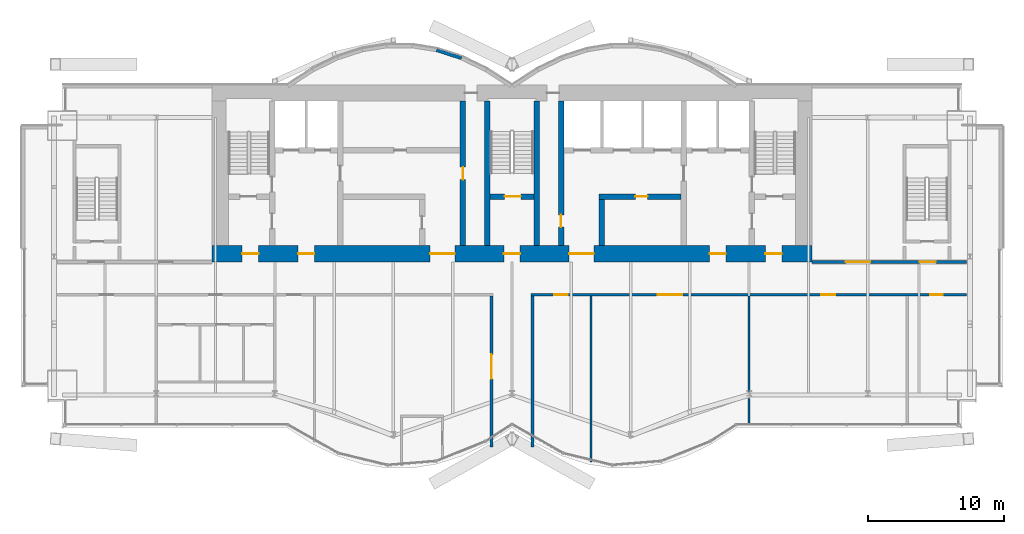
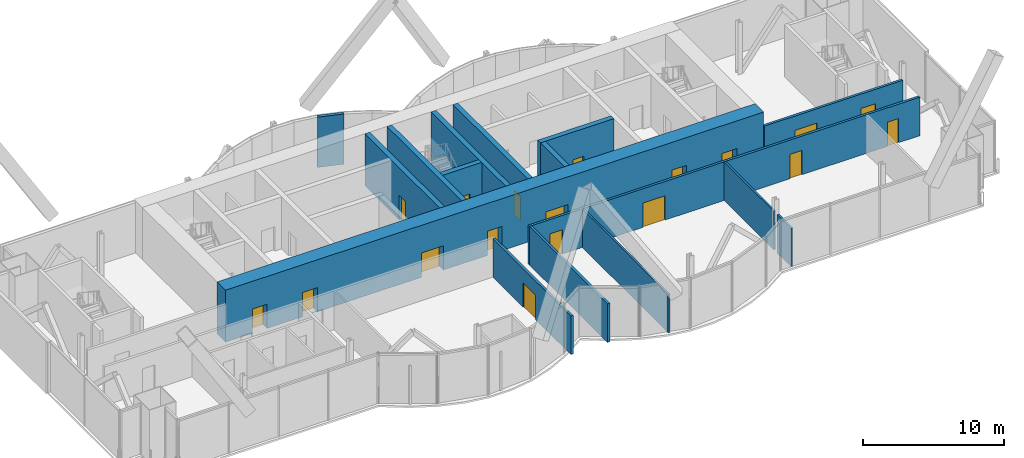
# One storey, part 12 of 17: 18 doors, 16 walls, 18 openings.
"""IFC4 building model written with IfcOpenShell, lengths in metres."""

from ifc_helpers import new_model, si_unit, direction, frame, frame_2d, origin, place, context, subcontext, project, spatial, rectangle, extrude, material, layer, layer_set, layer_usage, type_object, element, fill, save


model = new_model("IFC4")

# Units and contexts
model_context = context("Model", 3, precision=1e-05, world=origin(), true_north=direction((0.0, 1.0)))
body_context = subcontext(model_context, "Body", "Model", "MODEL_VIEW")
ifc_project = project(units=[si_unit("LENGTHUNIT", "METRE"), si_unit("AREAUNIT", "SQUARE_METRE"), si_unit("VOLUMEUNIT", "CUBIC_METRE"), si_unit("PLANEANGLEUNIT", "RADIAN"), si_unit("MASSUNIT", "GRAM", prefix="KILO")], contexts=[model_context])

# Site, building, storey
site_placement = place(None, origin())
site = spatial("IfcSite", under=ifc_project, at=site_placement, CompositionType="ELEMENT")
building_placement = place(site_placement, origin())
building = spatial("IfcBuilding", under=site, at=building_placement, Name="Bicima Exchange Tower", CompositionType="ELEMENT")
storey_placement = place(building_placement, frame((0.0, 0.0, 333.5)))
storey = spatial("IfcBuildingStorey", under=building, at=storey_placement, Name="L75", CompositionType="ELEMENT", Elevation=333.5)

# Wall, openings, doors
ifc_material_1 = material(Name="Gypsum board partition")
ifc_layer_1 = layer(ifc_material_1, 0.199951171875)
ifc_layer_set_1 = layer_set([ifc_layer_1], Name="Gypsum board partition")
wall_type_1 = type_object("IfcWallType", Name="Fire-rated gypsum partition 200 EI60", PredefinedType="PARTITIONING", material=ifc_layer_set_1)
wall_1_placement = place(storey_placement, frame((1.39990234375, -15.39990234375, 0.0), z_axis=(0.0, 0.0, 1.0), x_axis=(1.0, 0.0, 0.0)))
wall_1 = element("IfcWall", 1, at=wall_1_placement, inside=storey, type_object=wall_type_1, Name="partition wall 5", PredefinedType="PARTITIONING", context=body_context, shape_type="SweptSolid", body=[
    extrude(rectangle(XDim=31.940185546875, YDim=0.199951171875, at=frame_2d((15.97021484375, 0.0))), origin(), (0.0, 0.0, 1.0), 3.33935546875),
])
opening_1_placement = place(wall_1_placement, frame((1.699951171875, 0.0, 0.0)))
opening_1 = element("IfcOpeningElement", 2, at=opening_1_placement, cuts=wall_1, Name="Opening L75-014", PredefinedType="OPENING", context=body_context, shape_type="SweptSolid", body=[
    extrude(rectangle(XDim=1.0, YDim=2.10009765625, at=frame_2d((0.5, 1.050048828125))), frame((0.0, 0.11181640625, 0.0), z_axis=(0.0, -1.0, 0.0), x_axis=(1.0, 0.0, 0.0)), (0.0, 0.0, 1.0), 0.223876953125),
])
opening_2_placement = place(wall_1_placement, frame((9.300048828125, 0.0, 0.0)))
opening_2 = element("IfcOpeningElement", 3, at=opening_2_placement, cuts=wall_1, Name="Opening L75-015", PredefinedType="OPENING", context=body_context, shape_type="SweptSolid", body=[
    extrude(rectangle(XDim=1.800048828125, YDim=2.10009765625, at=frame_2d((0.89990234375, 1.050048828125))), frame((0.0, 0.11181640625, 0.0), z_axis=(0.0, -1.0, 0.0), x_axis=(1.0, 0.0, 0.0)), (0.0, 0.0, 1.0), 0.223876953125),
])
opening_3_placement = place(wall_1_placement, frame((21.300048828125, 0.0, 0.0)))
opening_3 = element("IfcOpeningElement", 4, at=opening_3_placement, cuts=wall_1, Name="Opening L75-016", PredefinedType="OPENING", context=body_context, shape_type="SweptSolid", body=[
    extrude(rectangle(XDim=1.0, YDim=2.10009765625, at=frame_2d((0.5, 1.050048828125))), frame((0.0, 0.11181640625, 0.0), z_axis=(0.0, -1.0, 0.0), x_axis=(1.0, 0.0, 0.0)), (0.0, 0.0, 1.0), 0.223876953125),
])
opening_4_placement = place(wall_1_placement, frame((29.300048828125, 0.0, 0.0)))
opening_4 = element("IfcOpeningElement", 5, at=opening_4_placement, cuts=wall_1, Name="Opening L75-017", PredefinedType="OPENING", context=body_context, shape_type="SweptSolid", body=[
    extrude(rectangle(XDim=0.89990234375, YDim=2.10009765625, at=frame_2d((0.449951171875, 1.050048828125))), frame((0.0, 0.11181640625, 0.0), z_axis=(0.0, -1.0, 0.0), x_axis=(1.0, 0.0, 0.0)), (0.0, 0.0, 1.0), 0.223876953125),
])
ifc_material_2 = material(Name="Steel fire door leaf", Category="steel")
door_type_1 = type_object("IfcDoorType", Name="Door 1000 swing FD30S", OperationType="SINGLE_SWING_LEFT", PredefinedType="DOOR", material=ifc_material_2)
door_1_placement = place(opening_1_placement, frame((1.0, 0.0, 0.0), z_axis=(0.0, 0.0, 1.0), x_axis=(-1.0, 0.0, 0.0)))
door_1 = element("IfcDoor", 6, at=door_1_placement, inside=storey, type_object=door_type_1, Name="Door", OperationType="SINGLE_SWING_RIGHT", OverallHeight=2.10009765625, OverallWidth=1.0, PredefinedType="DOOR", context=body_context, shape_type="SweptSolid", body=[
    extrude(rectangle(XDim=1.0, YDim=2.10009765625, at=frame_2d((0.5, 1.050048828125))), frame((0.0, 0.02490234375, 0.0), z_axis=(0.0, -1.0, 0.0), x_axis=(1.0, 0.0, 0.0)), (0.0, 0.0, 1.0), 0.050048828125),
])
fill(opening_1, door_1)
door_2_placement = place(opening_3_placement, frame((1.0, 0.0, 0.0), z_axis=(0.0, 0.0, 1.0), x_axis=(-1.0, 0.0, 0.0)))
door_2 = element("IfcDoor", 7, at=door_2_placement, inside=storey, type_object=door_type_1, Name="Door", OperationType="SINGLE_SWING_LEFT", OverallHeight=2.10009765625, OverallWidth=1.0, PredefinedType="DOOR", context=body_context, shape_type="SweptSolid", body=[
    extrude(rectangle(XDim=1.0, YDim=2.10009765625, at=frame_2d((0.5, 1.050048828125))), frame((0.0, 0.02490234375, 0.0), z_axis=(0.0, -1.0, 0.0), x_axis=(1.0, 0.0, 0.0)), (0.0, 0.0, 1.0), 0.050048828125),
])
fill(opening_3, door_2)
door_type_2 = type_object("IfcDoorType", Name="Door 1800 double swing FD30S", OperationType="DOUBLE_DOOR_SINGLE_SWING", PredefinedType="DOOR", material=ifc_material_2)
door_3_placement = place(opening_2_placement, origin())
door_3 = element("IfcDoor", 8, at=door_3_placement, inside=storey, type_object=door_type_2, Name="Door", OperationType="SINGLE_SWING_LEFT", OverallHeight=2.10009765625, OverallWidth=1.800048828125, PredefinedType="DOOR", context=body_context, shape_type="SweptSolid", body=[
    extrude(rectangle(XDim=1.800048828125, YDim=2.10009765625, at=frame_2d((0.89990234375, 1.050048828125))), frame((0.0, 0.02490234375, 0.0), z_axis=(0.0, -1.0, 0.0), x_axis=(1.0, 0.0, 0.0)), (0.0, 0.0, 1.0), 0.050048828125),
])
fill(opening_2, door_3)
door_type_3 = type_object("IfcDoorType", Name="Door 900 swing FD30S", OperationType="SINGLE_SWING_LEFT", PredefinedType="DOOR", material=ifc_material_2)
door_4_placement = place(opening_4_placement, frame((0.89990234375, 0.0, 0.0), z_axis=(0.0, 0.0, 1.0), x_axis=(-1.0, 0.0, 0.0)))
door_4 = element("IfcDoor", 9, at=door_4_placement, inside=storey, type_object=door_type_3, Name="Door", OperationType="SINGLE_SWING_RIGHT", OverallHeight=2.10009765625, OverallWidth=0.89990234375, PredefinedType="DOOR", context=body_context, shape_type="SweptSolid", body=[
    extrude(rectangle(XDim=0.89990234375, YDim=2.10009765625, at=frame_2d((0.449951171875, 1.050048828125))), frame((0.0, 0.02490234375, 0.0), z_axis=(0.0, -1.0, 0.0), x_axis=(1.0, 0.0, 0.0)), (0.0, 0.0, 1.0), 0.050048828125),
])
fill(opening_4, door_4)

wall_2_placement = place(storey_placement, frame((22.0, -13.0, 0.0), z_axis=(0.0, 0.0, 1.0), x_axis=(1.0, 0.0, 0.0)))
wall_2 = element("IfcWall", 10, at=wall_2_placement, inside=storey, type_object=wall_type_1, Name="partition wall 7", PredefinedType="PARTITIONING", context=body_context, shape_type="SweptSolid", body=[
    extrude(rectangle(XDim=11.340087890625, YDim=0.199951171875, at=frame_2d((5.669921875, 0.0))), origin(), (0.0, 0.0, 1.0), 3.33935546875),
])
opening_5_placement = place(wall_2_placement, frame((7.89990234375, 0.0, 0.0)))
opening_5 = element("IfcOpeningElement", 11, at=opening_5_placement, cuts=wall_2, Name="Opening L75-003", PredefinedType="OPENING", context=body_context, shape_type="SweptSolid", body=[
    extrude(rectangle(XDim=1.199951171875, YDim=2.10009765625, at=frame_2d((0.60009765625, 1.050048828125))), frame((0.0, 0.11181640625, 0.0), z_axis=(0.0, -1.0, 0.0), x_axis=(1.0, 0.0, 0.0)), (0.0, 0.0, 1.0), 0.223876953125),
])
opening_6_placement = place(wall_2_placement, frame((2.5, 0.0, 0.0)))
opening_6 = element("IfcOpeningElement", 12, at=opening_6_placement, cuts=wall_2, Name="Opening L75-006", PredefinedType="OPENING", context=body_context, shape_type="SweptSolid", body=[
    extrude(rectangle(XDim=1.800048828125, YDim=2.10009765625, at=frame_2d((0.89990234375, 1.050048828125))), frame((0.0, 0.11181640625, 0.0), z_axis=(0.0, -1.0, 0.0), x_axis=(1.0, 0.0, 0.0)), (0.0, 0.0, 1.0), 0.223876953125),
])
door_type_4 = type_object("IfcDoorType", Name="Door 1200 swing FD30S", OperationType="SINGLE_SWING_LEFT", PredefinedType="DOOR", material=ifc_material_2)
door_5_placement = place(opening_5_placement, origin())
door_5 = element("IfcDoor", 13, at=door_5_placement, inside=storey, type_object=door_type_4, Name="Door", OperationType="SINGLE_SWING_RIGHT", OverallHeight=2.10009765625, OverallWidth=1.199951171875, PredefinedType="DOOR", context=body_context, shape_type="SweptSolid", body=[
    extrude(rectangle(XDim=1.199951171875, YDim=2.10009765625, at=frame_2d((0.60009765625, 1.050048828125))), frame((0.0, 0.02490234375, 0.0), z_axis=(0.0, -1.0, 0.0), x_axis=(1.0, 0.0, 0.0)), (0.0, 0.0, 1.0), 0.050048828125),
])
fill(opening_5, door_5)
door_6_placement = place(opening_6_placement, origin())
door_6 = element("IfcDoor", 14, at=door_6_placement, inside=storey, type_object=door_type_2, Name="Door", OperationType="SINGLE_SWING_LEFT", OverallHeight=2.10009765625, OverallWidth=1.800048828125, PredefinedType="DOOR", context=body_context, shape_type="SweptSolid", body=[
    extrude(rectangle(XDim=1.800048828125, YDim=2.10009765625, at=frame_2d((0.89990234375, 1.050048828125))), frame((0.0, 0.02490234375, 0.0), z_axis=(0.0, -1.0, 0.0), x_axis=(1.0, 0.0, 0.0)), (0.0, 0.0, 1.0), 0.050048828125),
])
fill(opening_6, door_6)

# Wall, opening, door
wall_3_placement = place(storey_placement, frame((-1.5, -26.5625, 0.0), z_axis=(0.0, 0.0, 1.0), x_axis=(0.0, 1.0, 0.0)))
wall_3 = element("IfcWall", 15, at=wall_3_placement, inside=storey, type_object=wall_type_1, Name="partition wall 22", PredefinedType="PARTITIONING", context=body_context, shape_type="SweptSolid", body=[
    extrude(rectangle(XDim=11.0625, YDim=0.199951171875, at=frame_2d((5.53125, 0.0))), origin(), (0.0, 0.0, 1.0), 3.33935546875),
])
opening_7_placement = place(wall_3_placement, frame((4.98291015625, 0.0, 0.0)))
opening_7 = element("IfcOpeningElement", 16, at=opening_7_placement, cuts=wall_3, Name="Opening L75-013", PredefinedType="OPENING", context=body_context, shape_type="SweptSolid", body=[
    extrude(rectangle(XDim=1.800048828125, YDim=2.10009765625, at=frame_2d((0.89990234375, 1.050048828125))), frame((0.0, 0.11181640625, 0.0), z_axis=(0.0, -1.0, 0.0), x_axis=(1.0, 0.0, 0.0)), (0.0, 0.0, 1.0), 0.223876953125),
])
door_7_placement = place(opening_7_placement, origin())
door_7 = element("IfcDoor", 17, at=door_7_placement, inside=storey, type_object=door_type_2, Name="Door", OperationType="SINGLE_SWING_LEFT", OverallHeight=2.10009765625, OverallWidth=1.800048828125, PredefinedType="DOOR", context=body_context, shape_type="SweptSolid", body=[
    extrude(rectangle(XDim=1.800048828125, YDim=2.10009765625, at=frame_2d((0.89990234375, 1.050048828125))), frame((0.0, 0.02490234375, 0.0), z_axis=(0.0, -1.0, 0.0), x_axis=(1.0, 0.0, 0.0)), (0.0, 0.0, 1.0), 0.050048828125),
])
fill(opening_7, door_7)

# Walls
wall_4_placement = place(storey_placement, frame((1.5, -26.5625, 0.0), z_axis=(0.0, 0.0, 1.0), x_axis=(0.0, 1.0, 0.0)))
element("IfcWall", 18, at=wall_4_placement, inside=storey, type_object=wall_type_1, Name="partition wall 23", PredefinedType="PARTITIONING", context=body_context, shape_type="SweptSolid", body=[
    extrude(rectangle(XDim=11.0625, YDim=0.199951171875, at=frame_2d((5.53125, 0.0))), origin(), (0.0, 0.0, 1.0), 3.33935546875),
])
ifc_layer_2 = layer(ifc_material_1, 0.14990234375)
ifc_layer_set_2 = layer_set([ifc_layer_2], Name="Gypsum board partition")
wall_type_2 = type_object("IfcWallType", Name="Gypsum partition 150", PredefinedType="PARTITIONING", material=ifc_layer_set_2)
wall_5_placement = place(storey_placement, frame((5.800048828125, -27.669921875, 0.0), z_axis=(0.0, 0.0, 1.0), x_axis=(0.0, 1.0, 0.0)))
element("IfcWall", 19, at=wall_5_placement, inside=storey, type_object=wall_type_2, Name="partition wall 24", PredefinedType="PARTITIONING", context=body_context, shape_type="SweptSolid", body=[
    extrude(rectangle(XDim=12.169921875, YDim=0.14990234375, at=frame_2d((6.0849609375, 0.0))), origin(), (0.0, 0.0, 1.0), 3.33935546875),
])
wall_6_placement = place(storey_placement, frame((17.39990234375, -24.949951171875, 0.0), z_axis=(0.0, 0.0, 1.0), x_axis=(0.0, 1.0, 0.0)))
element("IfcWall", 20, at=wall_6_placement, inside=storey, type_object=wall_type_2, Name="partition wall 25", PredefinedType="PARTITIONING", context=body_context, shape_type="SweptSolid", body=[
    extrude(rectangle(XDim=1.94873046875, YDim=0.14990234375, at=frame_2d((0.974365234375, 0.0))), origin(), (0.0, 0.0, 1.0), 3.33935546875),
])
wall_7_placement = place(storey_placement, frame((17.39990234375, -22.526611328125, 0.0), z_axis=(0.0, 0.0, 1.0), x_axis=(0.0, 1.0, 0.0)))
element("IfcWall", 21, at=wall_7_placement, inside=storey, type_object=wall_type_2, Name="partition wall 26", PredefinedType="PARTITIONING", context=body_context, shape_type="SweptSolid", body=[
    extrude(rectangle(XDim=7.026611328125, YDim=0.14990234375, at=frame_2d((3.51318359375, 0.0))), origin(), (0.0, 0.0, 1.0), 3.33935546875),
])

# Wall, openings, doors
ifc_material_3 = material(Name="Concrete C40/50", Category="concrete")
ifc_layer_3 = layer(ifc_material_3, 1.199951171875)
ifc_layer_set_3 = layer_set([ifc_layer_3], Name="Concrete C40/50")
wall_type_3 = type_object("IfcWallType", Name="RC core wall 1200 C40/50", PredefinedType="SHEAR", material=ifc_layer_set_3)
wall_8_placement = place(storey_placement, frame((-22.0, -12.39990234375, 0.0), z_axis=(0.0, 0.0, 1.0), x_axis=(1.0, 0.0, 0.0)))
wall_8 = element("IfcWall", 22, at=wall_8_placement, inside=storey, type_object=wall_type_3, Name="Core wall south", PredefinedType="SHEAR", context=body_context, shape_type="SweptSolid", body=[
    extrude(rectangle(XDim=44.0, YDim=1.199951171875, at=frame_2d((22.0, 0.0))), origin(), (0.0, 0.0, 1.0), 4.5),
])
opening_8_placement = place(wall_8_placement, frame((2.199951171875, 0.0, 0.0)))
opening_8 = element("IfcOpeningElement", 23, at=opening_8_placement, cuts=wall_8, Name="Opening L75-C17", PredefinedType="OPENING", context=body_context, shape_type="SweptSolid", body=[
    extrude(rectangle(XDim=1.199951171875, YDim=2.10009765625, at=frame_2d((0.60009765625, 1.050048828125))), frame((0.0, 0.61181640625, 0.0), z_axis=(0.0, -1.0, 0.0), x_axis=(1.0, 0.0, 0.0)), (0.0, 0.0, 1.0), 1.223876953125),
])
opening_9_placement = place(wall_8_placement, frame((21.39990234375, 0.0, 0.0)))
opening_9 = element("IfcOpeningElement", 24, at=opening_9_placement, cuts=wall_8, Name="Opening L75-C18", PredefinedType="OPENING", context=body_context, shape_type="SweptSolid", body=[
    extrude(rectangle(XDim=1.199951171875, YDim=2.10009765625, at=frame_2d((0.60009765625, 1.050048828125))), frame((0.0, 0.61181640625, 0.0), z_axis=(0.0, -1.0, 0.0), x_axis=(1.0, 0.0, 0.0)), (0.0, 0.0, 1.0), 1.223876953125),
])
opening_10_placement = place(wall_8_placement, frame((40.60009765625, 0.0, 0.0)))
opening_10 = element("IfcOpeningElement", 25, at=opening_10_placement, cuts=wall_8, Name="Opening L75-C19", PredefinedType="OPENING", context=body_context, shape_type="SweptSolid", body=[
    extrude(rectangle(XDim=1.199951171875, YDim=2.10009765625, at=frame_2d((0.60009765625, 1.050048828125))), frame((0.0, 0.61181640625, 0.0), z_axis=(0.0, -1.0, 0.0), x_axis=(1.0, 0.0, 0.0)), (0.0, 0.0, 1.0), 1.223876953125),
])
opening_11_placement = place(wall_8_placement, frame((16.0, 0.0, 0.0)))
opening_11 = element("IfcOpeningElement", 26, at=opening_11_placement, cuts=wall_8, Name="Opening L75-C20", PredefinedType="OPENING", context=body_context, shape_type="SweptSolid", body=[
    extrude(rectangle(XDim=1.800048828125, YDim=2.10009765625, at=frame_2d((0.89990234375, 1.050048828125))), frame((0.0, 0.61181640625, 0.0), z_axis=(0.0, -1.0, 0.0), x_axis=(1.0, 0.0, 0.0)), (0.0, 0.0, 1.0), 1.223876953125),
])
opening_12_placement = place(wall_8_placement, frame((6.300048828125, 0.0, 0.0)))
opening_12 = element("IfcOpeningElement", 27, at=opening_12_placement, cuts=wall_8, Name="Opening L75-C21", PredefinedType="OPENING", context=body_context, shape_type="SweptSolid", body=[
    extrude(rectangle(XDim=1.199951171875, YDim=2.10009765625, at=frame_2d((0.60009765625, 1.050048828125))), frame((0.0, 0.61181640625, 0.0), z_axis=(0.0, -1.0, 0.0), x_axis=(1.0, 0.0, 0.0)), (0.0, 0.0, 1.0), 1.223876953125),
])
opening_13_placement = place(wall_8_placement, frame((26.199951171875, 0.0, 0.0)))
opening_13 = element("IfcOpeningElement", 28, at=opening_13_placement, cuts=wall_8, Name="Opening L75-C22", PredefinedType="OPENING", context=body_context, shape_type="SweptSolid", body=[
    extrude(rectangle(XDim=1.800048828125, YDim=2.10009765625, at=frame_2d((0.89990234375, 1.050048828125))), frame((0.0, 0.61181640625, 0.0), z_axis=(0.0, -1.0, 0.0), x_axis=(1.0, 0.0, 0.0)), (0.0, 0.0, 1.0), 1.223876953125),
])
opening_14_placement = place(wall_8_placement, frame((36.5, 0.0, 0.0)))
opening_14 = element("IfcOpeningElement", 29, at=opening_14_placement, cuts=wall_8, Name="Opening L75-C23", PredefinedType="OPENING", context=body_context, shape_type="SweptSolid", body=[
    extrude(rectangle(XDim=1.199951171875, YDim=2.10009765625, at=frame_2d((0.60009765625, 1.050048828125))), frame((0.0, 0.61181640625, 0.0), z_axis=(0.0, -1.0, 0.0), x_axis=(1.0, 0.0, 0.0)), (0.0, 0.0, 1.0), 1.223876953125),
])
door_type_5 = type_object("IfcDoorType", Name="Door 1200 swing FD60S", OperationType="SINGLE_SWING_LEFT", PredefinedType="DOOR", material=ifc_material_2)
door_8_placement = place(opening_8_placement, frame((1.199951171875, 0.0, 0.0), z_axis=(0.0, 0.0, 1.0), x_axis=(-1.0, 0.0, 0.0)))
door_8 = element("IfcDoor", 30, at=door_8_placement, inside=storey, type_object=door_type_5, Name="Core door", OperationType="SINGLE_SWING_RIGHT", OverallHeight=2.10009765625, OverallWidth=1.199951171875, PredefinedType="DOOR", context=body_context, shape_type="SweptSolid", body=[
    extrude(rectangle(XDim=1.199951171875, YDim=2.10009765625, at=frame_2d((0.60009765625, 1.050048828125))), frame((0.0, 0.02490234375, 0.0), z_axis=(0.0, -1.0, 0.0), x_axis=(1.0, 0.0, 0.0)), (0.0, 0.0, 1.0), 0.050048828125),
])
fill(opening_8, door_8)
door_9_placement = place(opening_9_placement, frame((1.199951171875, 0.0, 0.0), z_axis=(0.0, 0.0, 1.0), x_axis=(-1.0, 0.0, 0.0)))
door_9 = element("IfcDoor", 31, at=door_9_placement, inside=storey, type_object=door_type_5, Name="Core door", OperationType="SINGLE_SWING_RIGHT", OverallHeight=2.10009765625, OverallWidth=1.199951171875, PredefinedType="DOOR", context=body_context, shape_type="SweptSolid", body=[
    extrude(rectangle(XDim=1.199951171875, YDim=2.10009765625, at=frame_2d((0.60009765625, 1.050048828125))), frame((0.0, 0.02490234375, 0.0), z_axis=(0.0, -1.0, 0.0), x_axis=(1.0, 0.0, 0.0)), (0.0, 0.0, 1.0), 0.050048828125),
])
fill(opening_9, door_9)
door_10_placement = place(opening_10_placement, frame((1.199951171875, 0.0, 0.0), z_axis=(0.0, 0.0, 1.0), x_axis=(-1.0, 0.0, 0.0)))
door_10 = element("IfcDoor", 32, at=door_10_placement, inside=storey, type_object=door_type_5, Name="Core door", OperationType="SINGLE_SWING_RIGHT", OverallHeight=2.10009765625, OverallWidth=1.199951171875, PredefinedType="DOOR", context=body_context, shape_type="SweptSolid", body=[
    extrude(rectangle(XDim=1.199951171875, YDim=2.10009765625, at=frame_2d((0.60009765625, 1.050048828125))), frame((0.0, 0.02490234375, 0.0), z_axis=(0.0, -1.0, 0.0), x_axis=(1.0, 0.0, 0.0)), (0.0, 0.0, 1.0), 0.050048828125),
])
fill(opening_10, door_10)
door_11_placement = place(opening_12_placement, frame((1.199951171875, 0.0, 0.0), z_axis=(0.0, 0.0, 1.0), x_axis=(-1.0, 0.0, 0.0)))
door_11 = element("IfcDoor", 33, at=door_11_placement, inside=storey, type_object=door_type_5, Name="Core door", OperationType="SINGLE_SWING_RIGHT", OverallHeight=2.10009765625, OverallWidth=1.199951171875, PredefinedType="DOOR", context=body_context, shape_type="SweptSolid", body=[
    extrude(rectangle(XDim=1.199951171875, YDim=2.10009765625, at=frame_2d((0.60009765625, 1.050048828125))), frame((0.0, 0.02490234375, 0.0), z_axis=(0.0, -1.0, 0.0), x_axis=(1.0, 0.0, 0.0)), (0.0, 0.0, 1.0), 0.050048828125),
])
fill(opening_12, door_11)
door_12_placement = place(opening_14_placement, frame((1.199951171875, 0.0, 0.0), z_axis=(0.0, 0.0, 1.0), x_axis=(-1.0, 0.0, 0.0)))
door_12 = element("IfcDoor", 34, at=door_12_placement, inside=storey, type_object=door_type_5, Name="Core door", OperationType="SINGLE_SWING_RIGHT", OverallHeight=2.10009765625, OverallWidth=1.199951171875, PredefinedType="DOOR", context=body_context, shape_type="SweptSolid", body=[
    extrude(rectangle(XDim=1.199951171875, YDim=2.10009765625, at=frame_2d((0.60009765625, 1.050048828125))), frame((0.0, 0.02490234375, 0.0), z_axis=(0.0, -1.0, 0.0), x_axis=(1.0, 0.0, 0.0)), (0.0, 0.0, 1.0), 0.050048828125),
])
fill(opening_14, door_12)
door_13_placement = place(opening_11_placement, origin())
door_13 = element("IfcDoor", 35, at=door_13_placement, inside=storey, type_object=door_type_2, Name="Core door", OperationType="SINGLE_SWING_LEFT", OverallHeight=2.10009765625, OverallWidth=1.800048828125, PredefinedType="DOOR", context=body_context, shape_type="SweptSolid", body=[
    extrude(rectangle(XDim=1.800048828125, YDim=2.10009765625, at=frame_2d((0.89990234375, 1.050048828125))), frame((0.0, 0.02490234375, 0.0), z_axis=(0.0, -1.0, 0.0), x_axis=(1.0, 0.0, 0.0)), (0.0, 0.0, 1.0), 0.050048828125),
])
fill(opening_11, door_13)
door_14_placement = place(opening_13_placement, origin())
door_14 = element("IfcDoor", 36, at=door_14_placement, inside=storey, type_object=door_type_2, Name="Core door", OperationType="SINGLE_SWING_LEFT", OverallHeight=2.10009765625, OverallWidth=1.800048828125, PredefinedType="DOOR", context=body_context, shape_type="SweptSolid", body=[
    extrude(rectangle(XDim=1.800048828125, YDim=2.10009765625, at=frame_2d((0.89990234375, 1.050048828125))), frame((0.0, 0.02490234375, 0.0), z_axis=(0.0, -1.0, 0.0), x_axis=(1.0, 0.0, 0.0)), (0.0, 0.0, 1.0), 0.050048828125),
])
fill(opening_13, door_14)

# Wall, opening, door
ifc_layer_4 = layer(ifc_material_3, 0.39990234375)
ifc_layer_set_4 = layer_set([ifc_layer_4], Name="Concrete C40/50")
wall_type_4 = type_object("IfcWallType", Name="RC core wall 400 C40/50", PredefinedType="SHEAR", material=ifc_layer_set_4)
wall_9_placement = place(storey_placement, frame((6.39990234375, -8.199951171875, 0.0), z_axis=(0.0, 0.0, 1.0), x_axis=(1.0, 0.0, 0.0)))
wall_9 = element("IfcWall", 37, at=wall_9_placement, inside=storey, type_object=wall_type_4, Name="shear wall 4", PredefinedType="SHEAR", context=body_context, shape_type="SweptSolid", body=[
    extrude(rectangle(XDim=6.0, YDim=0.39990234375, at=frame_2d((3.0, 0.0))), origin(), (0.0, 0.0, 1.0), 4.5),
])
opening_15_placement = place(wall_9_placement, frame((2.64990234375, 0.0, 0.0)))
opening_15 = element("IfcOpeningElement", 38, at=opening_15_placement, cuts=wall_9, Name="Opening L75-C14", PredefinedType="OPENING", context=body_context, shape_type="SweptSolid", body=[
    extrude(rectangle(XDim=0.89990234375, YDim=2.10009765625, at=frame_2d((0.449951171875, 1.050048828125))), frame((0.0, 0.2119140625, 0.0), z_axis=(0.0, -1.0, 0.0), x_axis=(1.0, 0.0, 0.0)), (0.0, 0.0, 1.0), 0.423828125),
])
door_15_placement = place(opening_15_placement, frame((0.89990234375, 0.0, 0.0), z_axis=(0.0, 0.0, 1.0), x_axis=(-1.0, 0.0, 0.0)))
door_15 = element("IfcDoor", 39, at=door_15_placement, inside=storey, type_object=door_type_3, Name="Core door", OperationType="SINGLE_SWING_LEFT", OverallHeight=2.10009765625, OverallWidth=0.89990234375, PredefinedType="DOOR", context=body_context, shape_type="SweptSolid", body=[
    extrude(rectangle(XDim=0.89990234375, YDim=2.10009765625, at=frame_2d((0.449951171875, 1.050048828125))), frame((0.0, 0.02490234375, 0.0), z_axis=(0.0, -1.0, 0.0), x_axis=(1.0, 0.0, 0.0)), (0.0, 0.0, 1.0), 0.050048828125),
])
fill(opening_15, door_15)

wall_10_placement = place(storey_placement, frame((-3.60009765625, -11.800048828125, 0.0), z_axis=(0.0, 0.0, 1.0), x_axis=(0.0, 1.0, 0.0)))
wall_10 = element("IfcWall", 40, at=wall_10_placement, inside=storey, type_object=wall_type_4, Name="shear wall 12", PredefinedType="SHEAR", context=body_context, shape_type="SweptSolid", body=[
    extrude(rectangle(XDim=10.60009765625, YDim=0.39990234375, at=frame_2d((5.300048828125, 0.0))), origin(), (0.0, 0.0, 1.0), 4.5),
])
opening_16_placement = place(wall_10_placement, frame((4.85009765625, 0.0, 0.0)))
opening_16 = element("IfcOpeningElement", 41, at=opening_16_placement, cuts=wall_10, Name="Opening L75-C10", PredefinedType="OPENING", context=body_context, shape_type="SweptSolid", body=[
    extrude(rectangle(XDim=0.89990234375, YDim=2.10009765625, at=frame_2d((0.449951171875, 1.050048828125))), frame((0.0, 0.2119140625, 0.0), z_axis=(0.0, -1.0, 0.0), x_axis=(1.0, 0.0, 0.0)), (0.0, 0.0, 1.0), 0.423828125),
])
door_16_placement = place(opening_16_placement, frame((0.89990234375, 0.0, 0.0), z_axis=(0.0, 0.0, 1.0), x_axis=(-1.0, 0.0, 0.0)))
door_16 = element("IfcDoor", 42, at=door_16_placement, inside=storey, type_object=door_type_3, Name="Core door", OperationType="SINGLE_SWING_LEFT", OverallHeight=2.10009765625, OverallWidth=0.89990234375, PredefinedType="DOOR", context=body_context, shape_type="SweptSolid", body=[
    extrude(rectangle(XDim=0.89990234375, YDim=2.10009765625, at=frame_2d((0.449951171875, 1.050048828125))), frame((0.0, 0.02490234375, 0.0), z_axis=(0.0, -1.0, 0.0), x_axis=(1.0, 0.0, 0.0)), (0.0, 0.0, 1.0), 0.050048828125),
])
fill(opening_16, door_16)

wall_11_placement = place(storey_placement, frame((3.60009765625, -11.800048828125, 0.0), z_axis=(0.0, 0.0, 1.0), x_axis=(0.0, 1.0, 0.0)))
wall_11 = element("IfcWall", 43, at=wall_11_placement, inside=storey, type_object=wall_type_4, Name="shear wall 15", PredefinedType="SHEAR", context=body_context, shape_type="SweptSolid", body=[
    extrude(rectangle(XDim=10.60009765625, YDim=0.39990234375, at=frame_2d((5.300048828125, 0.0))), origin(), (0.0, 0.0, 1.0), 4.5),
])
opening_17_placement = place(wall_11_placement, frame((1.35009765625, 0.0, 0.0)))
opening_17 = element("IfcOpeningElement", 44, at=opening_17_placement, cuts=wall_11, Name="Opening L75-C11", PredefinedType="OPENING", context=body_context, shape_type="SweptSolid", body=[
    extrude(rectangle(XDim=0.89990234375, YDim=2.10009765625, at=frame_2d((0.449951171875, 1.050048828125))), frame((0.0, 0.2119140625, 0.0), z_axis=(0.0, -1.0, 0.0), x_axis=(1.0, 0.0, 0.0)), (0.0, 0.0, 1.0), 0.423828125),
])
door_17_placement = place(opening_17_placement, origin())
door_17 = element("IfcDoor", 45, at=door_17_placement, inside=storey, type_object=door_type_3, Name="Core door", OperationType="SINGLE_SWING_LEFT", OverallHeight=2.10009765625, OverallWidth=0.89990234375, PredefinedType="DOOR", context=body_context, shape_type="SweptSolid", body=[
    extrude(rectangle(XDim=0.89990234375, YDim=2.10009765625, at=frame_2d((0.449951171875, 1.050048828125))), frame((0.0, 0.02490234375, 0.0), z_axis=(0.0, -1.0, 0.0), x_axis=(1.0, 0.0, 0.0)), (0.0, 0.0, 1.0), 0.050048828125),
])
fill(opening_17, door_17)

# Wall
wall_12_placement = place(storey_placement, frame((6.60009765625, -11.800048828125, 0.0), z_axis=(0.0, 0.0, 1.0), x_axis=(0.0, 1.0, 0.0)))
element("IfcWall", 46, at=wall_12_placement, inside=storey, type_object=wall_type_4, Name="shear wall 16", PredefinedType="SHEAR", context=body_context, shape_type="SweptSolid", body=[
    extrude(rectangle(XDim=3.400146484375, YDim=0.39990234375, at=frame_2d((1.7001953125, 0.0))), origin(), (0.0, 0.0, 1.0), 4.5),
])

# Wall, opening, door
ifc_material_4 = material(Name="Concrete C50/60", Category="concrete")
ifc_layer_5 = layer(ifc_material_4, 0.39990234375)
ifc_layer_set_5 = layer_set([ifc_layer_5], Name="Concrete C50/60")
wall_type_5 = type_object("IfcWallType", Name="RC core wall 400 C50/60", PredefinedType="SHEAR", material=ifc_layer_set_5)
wall_13_placement = place(storey_placement, frame((-1.60009765625, -8.199951171875, 0.0), z_axis=(0.0, 0.0, 1.0), x_axis=(1.0, 0.0, 0.0)))
wall_13 = element("IfcWall", 47, at=wall_13_placement, inside=storey, type_object=wall_type_5, Name="stair wall 3", PredefinedType="SHEAR", context=body_context, shape_type="SweptSolid", body=[
    extrude(rectangle(XDim=3.2001953125, YDim=0.39990234375, at=frame_2d((1.60009765625, 0.0))), origin(), (0.0, 0.0, 1.0), 4.5),
])
opening_18_placement = place(wall_13_placement, frame((1.050048828125, 0.0, 0.0)))
opening_18 = element("IfcOpeningElement", 48, at=opening_18_placement, cuts=wall_13, Name="Opening L75-C03", PredefinedType="OPENING", context=body_context, shape_type="SweptSolid", body=[
    extrude(rectangle(XDim=1.199951171875, YDim=2.10009765625, at=frame_2d((0.60009765625, 1.050048828125))), frame((0.0, 0.2119140625, 0.0), z_axis=(0.0, -1.0, 0.0), x_axis=(1.0, 0.0, 0.0)), (0.0, 0.0, 1.0), 0.423828125),
])
door_18_placement = place(opening_18_placement, origin())
door_18 = element("IfcDoor", 49, at=door_18_placement, inside=storey, type_object=door_type_5, Name="Core door", OperationType="SINGLE_SWING_LEFT", OverallHeight=2.10009765625, OverallWidth=1.199951171875, PredefinedType="DOOR", context=body_context, shape_type="SweptSolid", body=[
    extrude(rectangle(XDim=1.199951171875, YDim=2.10009765625, at=frame_2d((0.60009765625, 1.050048828125))), frame((0.0, 0.02490234375, 0.0), z_axis=(0.0, -1.0, 0.0), x_axis=(1.0, 0.0, 0.0)), (0.0, 0.0, 1.0), 0.050048828125),
])
fill(opening_18, door_18)

# Walls
for number, where, z_axis, x_axis, name in (
    (50, (-1.800048828125, -11.800048828125, 0.0), (0.0, 0.0, 1.0), (0.0, 1.0, 0.0), "stair wall 13"),
    (51, (1.800048828125, -11.800048828125, 0.0), (0.0, 0.0, 1.0), (0.0, 1.0, 0.0), "stair wall 14"),
):
    element("IfcWall", number, at=place(storey_placement, frame(where, z_axis=z_axis, x_axis=x_axis)), inside=storey, type_object=wall_type_5, Name=name, PredefinedType="SHEAR", context=body_context, shape_type="SweptSolid", body=[
        extrude(rectangle(XDim=10.60009765625, YDim=0.39990234375, at=frame_2d((5.300048828125, 0.0))), origin(), (0.0, 0.0, 1.0), 4.5),
    ])
ifc_layer_6 = layer(ifc_material_3, 0.25)
ifc_layer_set_6 = layer_set([ifc_layer_6], Name="Concrete C40/50")
ifc_layer_usage = layer_usage(ifc_layer_set_6, "AXIS2", "POSITIVE", -0.125)
wall_type_6 = type_object("IfcWallType", Name="Rear backup wall 250", PredefinedType="STANDARD", material=ifc_layer_set_6)
wall_14_placement = place(storey_placement, frame((-3.705078125, 1.955078125, 0.0), z_axis=(0.0, 0.0, 1.0), x_axis=(-0.951495806175, 0.307661714928, 0.0)))
element("IfcWall", 52, at=wall_14_placement, inside=storey, type_object=wall_type_6, material=ifc_layer_usage, Name="Rear backup wall L75 13", PredefinedType="STANDARD", context=body_context, shape_type="SweptSolid", body=[
    extrude(rectangle(XDim=1.9267578125, YDim=0.25, at=frame_2d((0.96337890625, 0.0))), origin(), (0.0, 0.0, 1.0), 4.35009765625),
])

save(model, "model.ifc")
